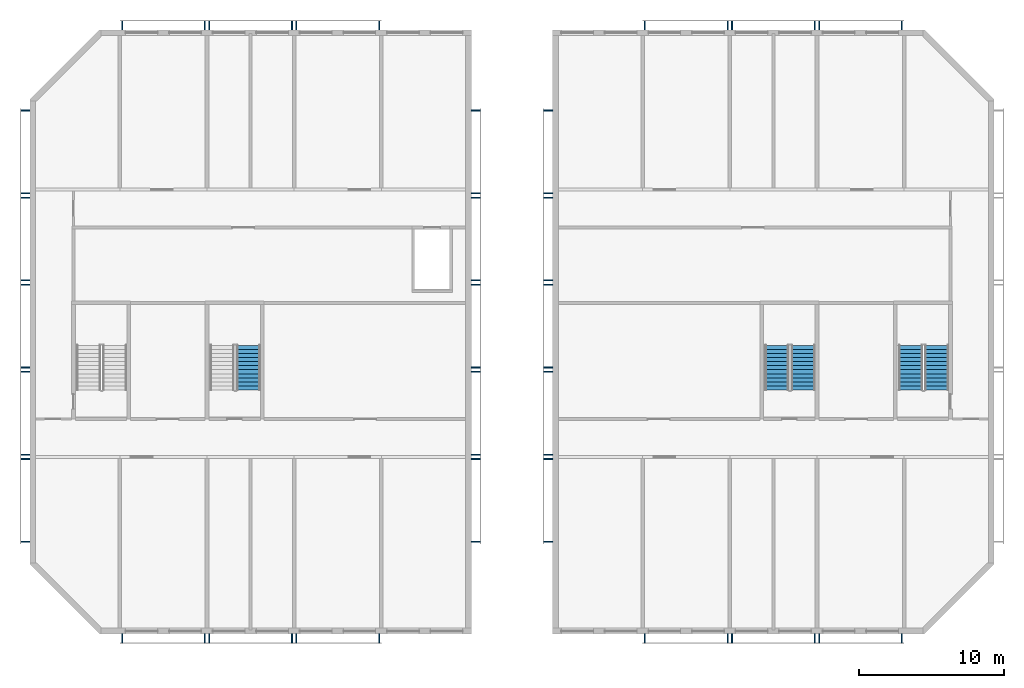
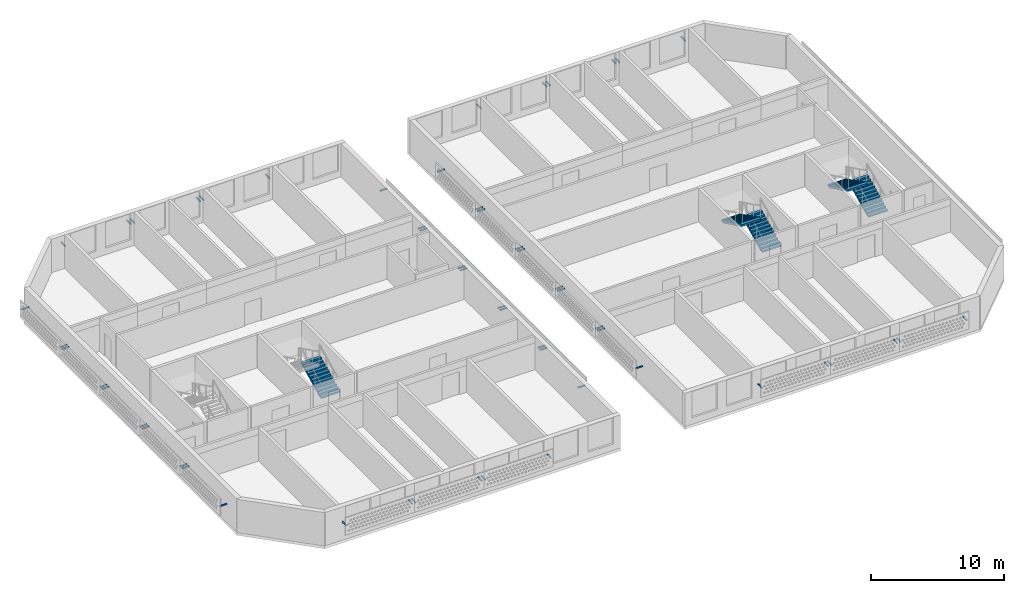
# One storey, part 5 of 18: 54 discrete accessories, 5 stair flights, 3 elements without a shape of their own.
"""IFC4 building model written with IfcOpenShell, lengths in metres."""

from ifc_helpers import new_model, si_unit, direction, frame, origin, origin_2d, place, context, subcontext, project, spatial, polyline, rectangle, outline, extrude, source, transform, mapped, material, layer, layer_set, material_profile, profile_set, type_object, element, aggregate, save


model = new_model("IFC4")

# Units and contexts
model_context = context("Model", 3, precision=1e-05, world=origin(), true_north=direction((0.0, 1.0)))
body_context = subcontext(model_context, "Body", "Model", "MODEL_VIEW")
ifc_project = project(units=[si_unit("LENGTHUNIT", "METRE"), si_unit("AREAUNIT", "SQUARE_METRE"), si_unit("VOLUMEUNIT", "CUBIC_METRE"), si_unit("PLANEANGLEUNIT", "RADIAN"), si_unit("MASSUNIT", "GRAM", prefix="KILO")], contexts=[model_context])

# Site, building, storey
site_placement = place(None, origin())
site = spatial("IfcSite", under=ifc_project, at=site_placement, CompositionType="ELEMENT")
building_placement = place(site_placement, origin())
building = spatial("IfcBuilding", under=site, at=building_placement, Name="Poui Terraces", CompositionType="ELEMENT")
storey_placement = place(building_placement, frame((0.0, 0.0, 279.0)))
storey = spatial("IfcBuildingStorey", under=building, at=storey_placement, Name="L77 CROWN", CompositionType="ELEMENT", Elevation=279.0)

# Stair, stair flights
ifc_material_1 = material(Name="Concrete 50 MPa", Category="concrete")
stair_type = type_object("IfcStairType", Name="EXIT STAIR 1650 50 MPA", PredefinedType="HALF_TURN_STAIR", material=ifc_material_1)
stair_1_placement = place(storey_placement, origin())
stair_1 = element("IfcStair", 1, at=stair_1_placement, inside=storey, type_object=stair_type, Name="L77 CROWN CORE STAIR EAST", PredefinedType="HALF_TURN_STAIR")
ifc_layer = layer(ifc_material_1, 0.14990234375)
ifc_layer_set = layer_set([ifc_layer], Name="Concrete 50 MPa")
stair_flight_type = type_object("IfcStairFlightType", Name="STAIR FLIGHT 12 RISERS 138 RISE 50 MPA", PredefinedType="STRAIGHT", material=ifc_layer_set)
stair_flight_1_placement = place(storey_placement, frame((71.050048828125, 16.60009765625, 0.0), z_axis=(0.0, 0.0, 1.0), x_axis=(0.0, 1.0, 0.0)))
stair_flight_1 = element("IfcStairFlight", 2, at=stair_flight_1_placement, type_object=stair_flight_type, Name="ST-CE flight 1", NumberOfRisers=12, NumberOfTreads=11, PredefinedType="STRAIGHT", RiserHeight=0.1375, TreadLength=0.28, context=body_context, shape_type="SweptSolid", body=[
    extrude(outline(polyline([(0.0, 0.0), (0.0, 0.137451171875), (0.280029296875, 0.137451171875), (0.280029296875, 0.27490234375), (0.56005859375, 0.27490234375), (0.56005859375, 0.41259765625), (0.840087890625, 0.41259765625), (0.840087890625, 0.550048828125), (1.1201171875, 0.550048828125), (1.1201171875, 0.6875), (1.39990234375, 0.6875), (1.39990234375, 0.824951171875), (1.679931640625, 0.824951171875), (1.679931640625, 0.96240234375), (1.9599609375, 0.96240234375), (1.9599609375, 1.10009765625), (2.239990234375, 1.10009765625), (2.239990234375, 1.237548828125), (2.52001953125, 1.237548828125), (2.52001953125, 1.375), (2.800048828125, 1.375), (2.800048828125, 1.512451171875), (3.080078125, 1.512451171875), (3.080078125, 1.64990234375), (3.080078125, 1.345458984375), (0.340087890625, 0.0), (0.0, 0.0)])), frame((0.0, 0.824951171875, 0.0), z_axis=(0.0, -1.0, 0.0), x_axis=(1.0, 0.0, 0.0)), (0.0, 0.0, 1.0), 1.64990234375),
])
stair_flight_2_placement = place(storey_placement, frame((69.25, 19.679931640625, 1.64990234375), z_axis=(0.0, 0.0, 1.0), x_axis=(0.0, -1.0, 0.0)))
stair_flight_2 = element("IfcStairFlight", 3, at=stair_flight_2_placement, type_object=stair_flight_type, Name="ST-CE flight 2", NumberOfRisers=12, NumberOfTreads=11, PredefinedType="STRAIGHT", RiserHeight=0.1375, TreadLength=0.28, context=body_context, shape_type="SweptSolid", body=[
    extrude(outline(polyline([(0.0, 0.0), (0.0, 0.137451171875), (0.280029296875, 0.137451171875), (0.280029296875, 0.27490234375), (0.56005859375, 0.27490234375), (0.56005859375, 0.41259765625), (0.840087890625, 0.41259765625), (0.840087890625, 0.550048828125), (1.1201171875, 0.550048828125), (1.1201171875, 0.6875), (1.39990234375, 0.6875), (1.39990234375, 0.824951171875), (1.679931640625, 0.824951171875), (1.679931640625, 0.96240234375), (1.9599609375, 0.96240234375), (1.9599609375, 1.10009765625), (2.239990234375, 1.10009765625), (2.239990234375, 1.237548828125), (2.52001953125, 1.237548828125), (2.52001953125, 1.375), (2.800048828125, 1.375), (2.800048828125, 1.512451171875), (3.080078125, 1.512451171875), (3.080078125, 1.64990234375), (3.080078125, 1.345458984375), (0.340087890625, 0.0), (0.0, 0.0)])), frame((0.0, 0.824951171875, 0.0), z_axis=(0.0, -1.0, 0.0), x_axis=(1.0, 0.0, 0.0)), (0.0, 0.0, 1.0), 1.64990234375),
])
aggregate(stair_1, [stair_flight_1, stair_flight_2])

# Stair, stair flight
stair_2_placement = place(storey_placement, origin())
stair_2 = element("IfcStair", 4, at=stair_2_placement, inside=storey, type_object=stair_type, Name="L77 CROWN CORE STAIR WEST", PredefinedType="HALF_TURN_STAIR")
stair_flight_3_placement = place(storey_placement, frame((32.85009765625, 16.60009765625, 0.0), z_axis=(0.0, 0.0, 1.0), x_axis=(0.0, 1.0, 0.0)))
stair_flight_3 = element("IfcStairFlight", 5, at=stair_flight_3_placement, type_object=stair_flight_type, Name="ST-CW flight 1", NumberOfRisers=12, NumberOfTreads=11, PredefinedType="STRAIGHT", RiserHeight=0.1375, TreadLength=0.28, context=body_context, shape_type="SweptSolid", body=[
    extrude(outline(polyline([(0.0, 0.0), (0.0, 0.137451171875), (0.280029296875, 0.137451171875), (0.280029296875, 0.27490234375), (0.56005859375, 0.27490234375), (0.56005859375, 0.41259765625), (0.840087890625, 0.41259765625), (0.840087890625, 0.550048828125), (1.1201171875, 0.550048828125), (1.1201171875, 0.6875), (1.39990234375, 0.6875), (1.39990234375, 0.824951171875), (1.679931640625, 0.824951171875), (1.679931640625, 0.96240234375), (1.9599609375, 0.96240234375), (1.9599609375, 1.10009765625), (2.239990234375, 1.10009765625), (2.239990234375, 1.237548828125), (2.52001953125, 1.237548828125), (2.52001953125, 1.375), (2.800048828125, 1.375), (2.800048828125, 1.512451171875), (3.080078125, 1.512451171875), (3.080078125, 1.64990234375), (3.080078125, 1.345458984375), (0.340087890625, 0.0), (0.0, 0.0)])), frame((0.0, 0.824951171875, 0.0), z_axis=(0.0, -1.0, 0.0), x_axis=(1.0, 0.0, 0.0)), (0.0, 0.0, 1.0), 1.64990234375),
])
aggregate(stair_2, [stair_flight_3])

# Stair, stair flights
stair_3_placement = place(storey_placement, origin())
stair_3 = element("IfcStair", 6, at=stair_3_placement, inside=storey, type_object=stair_type, Name="L77 CROWN TIP STAIR EAST", PredefinedType="HALF_TURN_STAIR")
stair_flight_4_placement = place(storey_placement, frame((80.25, 16.60009765625, 0.0), z_axis=(0.0, 0.0, 1.0), x_axis=(0.0, 1.0, 0.0)))
stair_flight_4 = element("IfcStairFlight", 7, at=stair_flight_4_placement, type_object=stair_flight_type, Name="ST-E flight 1", NumberOfRisers=12, NumberOfTreads=11, PredefinedType="STRAIGHT", RiserHeight=0.1375, TreadLength=0.28, context=body_context, shape_type="SweptSolid", body=[
    extrude(outline(polyline([(0.0, 0.0), (0.0, 0.137451171875), (0.280029296875, 0.137451171875), (0.280029296875, 0.27490234375), (0.56005859375, 0.27490234375), (0.56005859375, 0.41259765625), (0.840087890625, 0.41259765625), (0.840087890625, 0.550048828125), (1.1201171875, 0.550048828125), (1.1201171875, 0.6875), (1.39990234375, 0.6875), (1.39990234375, 0.824951171875), (1.679931640625, 0.824951171875), (1.679931640625, 0.96240234375), (1.9599609375, 0.96240234375), (1.9599609375, 1.10009765625), (2.239990234375, 1.10009765625), (2.239990234375, 1.237548828125), (2.52001953125, 1.237548828125), (2.52001953125, 1.375), (2.800048828125, 1.375), (2.800048828125, 1.512451171875), (3.080078125, 1.512451171875), (3.080078125, 1.64990234375), (3.080078125, 1.345458984375), (0.340087890625, 0.0), (0.0, 0.0)])), frame((0.0, 0.824951171875, 0.0), z_axis=(0.0, -1.0, 0.0), x_axis=(1.0, 0.0, 0.0)), (0.0, 0.0, 1.0), 1.64990234375),
])
stair_flight_5_placement = place(storey_placement, frame((78.449951171875, 19.679931640625, 1.64990234375), z_axis=(0.0, 0.0, 1.0), x_axis=(0.0, -1.0, 0.0)))
stair_flight_5 = element("IfcStairFlight", 8, at=stair_flight_5_placement, type_object=stair_flight_type, Name="ST-E flight 2", NumberOfRisers=12, NumberOfTreads=11, PredefinedType="STRAIGHT", RiserHeight=0.1375, TreadLength=0.28, context=body_context, shape_type="SweptSolid", body=[
    extrude(outline(polyline([(0.0, 0.0), (0.0, 0.137451171875), (0.280029296875, 0.137451171875), (0.280029296875, 0.27490234375), (0.56005859375, 0.27490234375), (0.56005859375, 0.41259765625), (0.840087890625, 0.41259765625), (0.840087890625, 0.550048828125), (1.1201171875, 0.550048828125), (1.1201171875, 0.6875), (1.39990234375, 0.6875), (1.39990234375, 0.824951171875), (1.679931640625, 0.824951171875), (1.679931640625, 0.96240234375), (1.9599609375, 0.96240234375), (1.9599609375, 1.10009765625), (2.239990234375, 1.10009765625), (2.239990234375, 1.237548828125), (2.52001953125, 1.237548828125), (2.52001953125, 1.375), (2.800048828125, 1.375), (2.800048828125, 1.512451171875), (3.080078125, 1.512451171875), (3.080078125, 1.64990234375), (3.080078125, 1.345458984375), (0.340087890625, 0.0), (0.0, 0.0)])), frame((0.0, 0.824951171875, 0.0), z_axis=(0.0, -1.0, 0.0), x_axis=(1.0, 0.0, 0.0)), (0.0, 0.0, 1.0), 1.64990234375),
])
aggregate(stair_3, [stair_flight_4, stair_flight_5])

# Discrete accessories
ifc_material_2 = material(Name="Galvanised steel", Category="steel")
ifc_material_profile = material_profile(ifc_material_2, rectangle(XDim=0.080078125, YDim=0.080078125, at=origin_2d()), Name="SCREEN BRACKET 80")
ifc_profile_set = profile_set([ifc_material_profile], Name="Galvanised steel")
discrete_accessory_type = type_object("IfcDiscreteAccessoryType", Name="SCREEN BRACKET 80", PredefinedType="BRACKET", material=ifc_profile_set)
shared_shape = source(origin(), body_context, "Body", "SweptSolid", [
    extrude(rectangle(XDim=0.080078125, YDim=0.080078125, at=origin_2d()), origin(), (0.0, 0.0, 1.0), 0.60009765625),
])
for number, where, z_axis, x_axis, name in (
    (9, (24.14990234375, -0.199951171875, 1.699951171875), (0.0, -1.0, 0.0), (1.0, 0.0, 0.0), "SCREEN BRACKET"),
    (10, (29.85009765625, -0.199951171875, 1.699951171875), (0.0, -1.0, 0.0), (1.0, 0.0, 0.0), "SCREEN BRACKET"),
    (11, (30.14990234375, -0.199951171875, 1.699951171875), (0.0, -1.0, 0.0), (1.0, 0.0, 0.0), "SCREEN BRACKET"),
    (12, (35.85009765625, -0.199951171875, 1.699951171875), (0.0, -1.0, 0.0), (1.0, 0.0, 0.0), "SCREEN BRACKET"),
    (13, (36.14990234375, -0.199951171875, 1.699951171875), (0.0, -1.0, 0.0), (1.0, 0.0, 0.0), "SCREEN BRACKET"),
    (14, (41.85009765625, -0.199951171875, 1.699951171875), (0.0, -1.0, 0.0), (1.0, 0.0, 0.0), "SCREEN BRACKET"),
    (15, (48.199951171875, 6.14990234375, 1.699951171875), (1.0, 0.0, 0.0), (0.0, 1.0, 0.0), "SCREEN BRACKET"),
    (16, (48.199951171875, 11.85009765625, 1.699951171875), (1.0, 0.0, 0.0), (0.0, 1.0, 0.0), "SCREEN BRACKET"),
    (17, (48.199951171875, 12.14990234375, 1.699951171875), (1.0, 0.0, 0.0), (0.0, 1.0, 0.0), "SCREEN BRACKET"),
    (18, (48.199951171875, 17.85009765625, 1.699951171875), (1.0, 0.0, 0.0), (0.0, 1.0, 0.0), "SCREEN BRACKET"),
    (19, (48.199951171875, 18.14990234375, 1.699951171875), (1.0, 0.0, 0.0), (0.0, 1.0, 0.0), "SCREEN BRACKET"),
    (20, (48.199951171875, 23.85009765625, 1.699951171875), (1.0, 0.0, 0.0), (0.0, 1.0, 0.0), "SCREEN BRACKET"),
    (21, (48.199951171875, 24.14990234375, 1.699951171875), (1.0, 0.0, 0.0), (0.0, 1.0, 0.0), "SCREEN BRACKET"),
    (22, (48.199951171875, 29.85009765625, 1.699951171875), (1.0, 0.0, 0.0), (0.0, 1.0, 0.0), "SCREEN BRACKET"),
    (23, (48.199951171875, 30.14990234375, 1.699951171875), (1.0, 0.0, 0.0), (0.0, 1.0, 0.0), "SCREEN BRACKET"),
    (24, (48.199951171875, 35.85009765625, 1.699951171875), (1.0, 0.0, 0.0), (0.0, 1.0, 0.0), "SCREEN BRACKET"),
    (25, (29.85009765625, 41.39990234375, 1.699951171875), (0.0, 1.0, 0.0), (-1.0, 0.0, 0.0), "SCREEN BRACKET"),
    (26, (24.14990234375, 41.39990234375, 1.699951171875), (0.0, 1.0, 0.0), (-1.0, 0.0, 0.0), "SCREEN BRACKET"),
    (27, (35.85009765625, 41.39990234375, 1.699951171875), (0.0, 1.0, 0.0), (-1.0, 0.0, 0.0), "SCREEN BRACKET"),
    (28, (30.14990234375, 41.39990234375, 1.699951171875), (0.0, 1.0, 0.0), (-1.0, 0.0, 0.0), "SCREEN BRACKET"),
    (29, (41.85009765625, 41.39990234375, 1.699951171875), (0.0, 1.0, 0.0), (-1.0, 0.0, 0.0), "SCREEN BRACKET"),
    (30, (36.14990234375, 41.39990234375, 1.699951171875), (0.0, 1.0, 0.0), (-1.0, 0.0, 0.0), "SCREEN BRACKET"),
    (31, (17.800048828125, 11.85009765625, 1.699951171875), (-1.0, 0.0, 0.0), (0.0, -1.0, 0.0), "SCREEN BRACKET"),
    (32, (17.800048828125, 6.14990234375, 1.699951171875), (-1.0, 0.0, 0.0), (0.0, -1.0, 0.0), "SCREEN BRACKET"),
    (33, (17.800048828125, 17.85009765625, 1.699951171875), (-1.0, 0.0, 0.0), (0.0, -1.0, 0.0), "SCREEN BRACKET"),
    (34, (17.800048828125, 12.14990234375, 1.699951171875), (-1.0, 0.0, 0.0), (0.0, -1.0, 0.0), "SCREEN BRACKET"),
    (35, (17.800048828125, 23.85009765625, 1.699951171875), (-1.0, 0.0, 0.0), (0.0, -1.0, 0.0), "SCREEN BRACKET"),
    (36, (17.800048828125, 18.14990234375, 1.699951171875), (-1.0, 0.0, 0.0), (0.0, -1.0, 0.0), "SCREEN BRACKET"),
    (37, (17.800048828125, 29.85009765625, 1.699951171875), (-1.0, 0.0, 0.0), (0.0, -1.0, 0.0), "SCREEN BRACKET"),
    (38, (17.800048828125, 24.14990234375, 1.699951171875), (-1.0, 0.0, 0.0), (0.0, -1.0, 0.0), "SCREEN BRACKET"),
    (39, (17.800048828125, 35.85009765625, 1.699951171875), (-1.0, 0.0, 0.0), (0.0, -1.0, 0.0), "SCREEN BRACKET"),
    (40, (17.800048828125, 30.14990234375, 1.699951171875), (-1.0, 0.0, 0.0), (0.0, -1.0, 0.0), "SCREEN BRACKET"),
    (41, (60.14990234375, -0.199951171875, 1.699951171875), (0.0, -1.0, 0.0), (1.0, 0.0, 0.0), "SCREEN BRACKET"),
    (42, (65.85009765625, -0.199951171875, 1.699951171875), (0.0, -1.0, 0.0), (1.0, 0.0, 0.0), "SCREEN BRACKET"),
    (43, (66.14990234375, -0.199951171875, 1.699951171875), (0.0, -1.0, 0.0), (1.0, 0.0, 0.0), "SCREEN BRACKET"),
    (44, (71.85009765625, -0.199951171875, 1.699951171875), (0.0, -1.0, 0.0), (1.0, 0.0, 0.0), "SCREEN BRACKET"),
    (45, (72.14990234375, -0.199951171875, 1.699951171875), (0.0, -1.0, 0.0), (1.0, 0.0, 0.0), "SCREEN BRACKET"),
    (46, (77.85009765625, -0.199951171875, 1.699951171875), (0.0, -1.0, 0.0), (1.0, 0.0, 0.0), "SCREEN BRACKET"),
    (47, (65.85009765625, 41.39990234375, 1.699951171875), (0.0, 1.0, 0.0), (-1.0, 0.0, 0.0), "SCREEN BRACKET"),
    (48, (60.14990234375, 41.39990234375, 1.699951171875), (0.0, 1.0, 0.0), (-1.0, 0.0, 0.0), "SCREEN BRACKET"),
    (49, (71.85009765625, 41.39990234375, 1.699951171875), (0.0, 1.0, 0.0), (-1.0, 0.0, 0.0), "SCREEN BRACKET"),
    (50, (66.14990234375, 41.39990234375, 1.699951171875), (0.0, 1.0, 0.0), (-1.0, 0.0, 0.0), "SCREEN BRACKET"),
    (51, (77.85009765625, 41.39990234375, 1.699951171875), (0.0, 1.0, 0.0), (-1.0, 0.0, 0.0), "SCREEN BRACKET"),
    (52, (72.14990234375, 41.39990234375, 1.699951171875), (0.0, 1.0, 0.0), (-1.0, 0.0, 0.0), "SCREEN BRACKET"),
    (53, (53.800048828125, 11.85009765625, 1.699951171875), (-1.0, 0.0, 0.0), (0.0, -1.0, 0.0), "SCREEN BRACKET"),
    (54, (53.800048828125, 6.14990234375, 1.699951171875), (-1.0, 0.0, 0.0), (0.0, -1.0, 0.0), "SCREEN BRACKET"),
    (55, (53.800048828125, 17.85009765625, 1.699951171875), (-1.0, 0.0, 0.0), (0.0, -1.0, 0.0), "SCREEN BRACKET"),
    (56, (53.800048828125, 12.14990234375, 1.699951171875), (-1.0, 0.0, 0.0), (0.0, -1.0, 0.0), "SCREEN BRACKET"),
    (57, (53.800048828125, 23.85009765625, 1.699951171875), (-1.0, 0.0, 0.0), (0.0, -1.0, 0.0), "SCREEN BRACKET"),
    (58, (53.800048828125, 18.14990234375, 1.699951171875), (-1.0, 0.0, 0.0), (0.0, -1.0, 0.0), "SCREEN BRACKET"),
    (59, (53.800048828125, 29.85009765625, 1.699951171875), (-1.0, 0.0, 0.0), (0.0, -1.0, 0.0), "SCREEN BRACKET"),
    (60, (53.800048828125, 24.14990234375, 1.699951171875), (-1.0, 0.0, 0.0), (0.0, -1.0, 0.0), "SCREEN BRACKET"),
    (61, (53.800048828125, 35.85009765625, 1.699951171875), (-1.0, 0.0, 0.0), (0.0, -1.0, 0.0), "SCREEN BRACKET"),
    (62, (53.800048828125, 30.14990234375, 1.699951171875), (-1.0, 0.0, 0.0), (0.0, -1.0, 0.0), "SCREEN BRACKET"),
):
    element("IfcDiscreteAccessory", number, at=place(storey_placement, frame(where, z_axis=z_axis, x_axis=x_axis)), inside=storey, type_object=discrete_accessory_type, Name=name, PredefinedType="BRACKET", context=body_context, shape_type="MappedRepresentation", body=[
        mapped(shared_shape, transform((0.0, 0.0, 0.0))),
    ])

save(model, "model.ifc")
